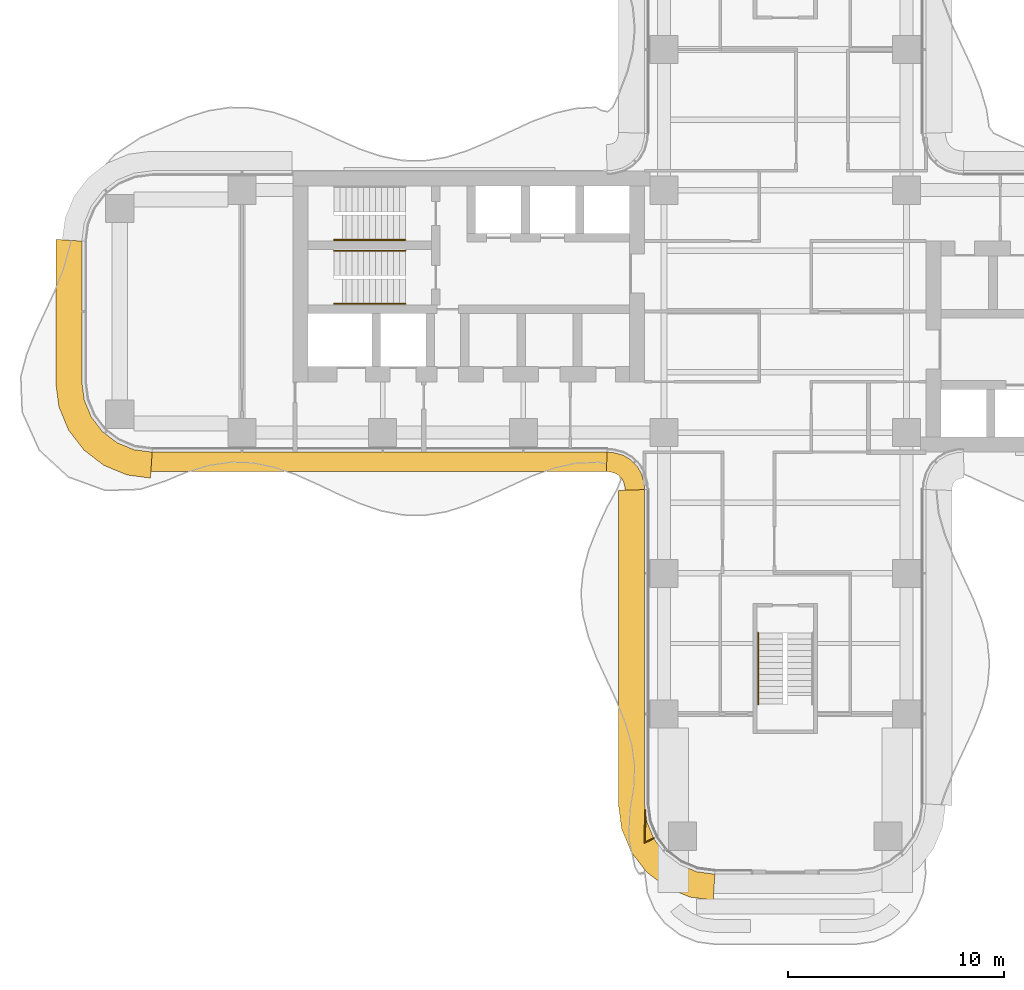
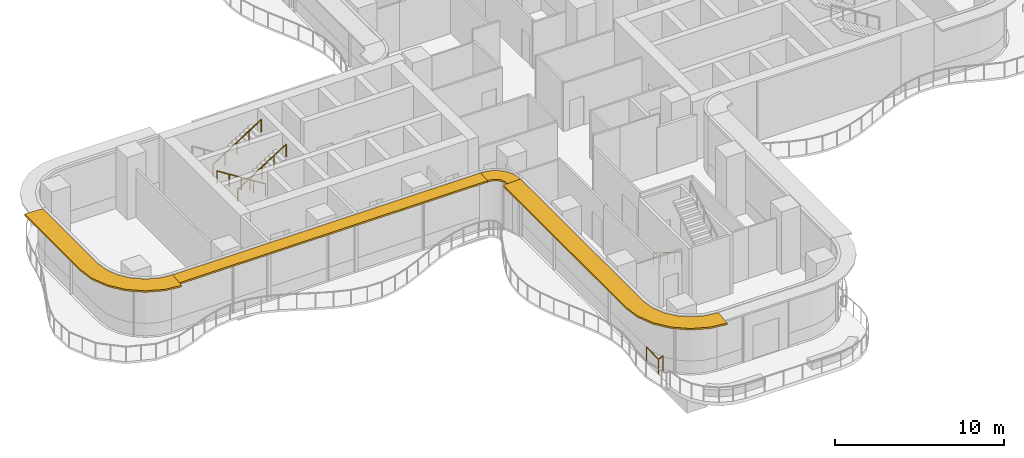
# One storey, part 21 of 22: 5 railings, 4 shading devices.
"""IFC4 building model written with IfcOpenShell, lengths in metres."""

from ifc_helpers import new_model, si_unit, direction, frame, origin, origin_2d, place, context, subcontext, project, spatial, polyline, rectangle, circle, outline, extrude, source, transform, mapped, material, layer, layer_set, type_object, element, save


model = new_model("IFC4")

# Units and contexts
model_context = context("Model", 3, precision=1e-05, world=origin(), true_north=direction((0.0, 1.0)))
body_context = subcontext(model_context, "Body", "Model", "MODEL_VIEW")
ifc_project = project(units=[si_unit("LENGTHUNIT", "METRE"), si_unit("AREAUNIT", "SQUARE_METRE"), si_unit("VOLUMEUNIT", "CUBIC_METRE"), si_unit("PLANEANGLEUNIT", "RADIAN"), si_unit("MASSUNIT", "GRAM", prefix="KILO")], contexts=[model_context])

# Site, building, storey
site_placement = place(None, origin())
site = spatial("IfcSite", under=ifc_project, at=site_placement, CompositionType="ELEMENT")
building_placement = place(site_placement, origin())
building = spatial("IfcBuilding", under=site, at=building_placement, Name="Trellis Farm Tower", CompositionType="ELEMENT")
storey_placement = place(building_placement, frame((0.0, 0.0, 124.5)))
storey = spatial("IfcBuildingStorey", under=building, at=storey_placement, Name="L26", CompositionType="ELEMENT", Elevation=124.5)

# Railings
ifc_material_1 = material(Name="Stainless steel", Category="steel")
railing_type_1 = type_object("IfcRailingType", Name="STAIR HANDRAIL 900", PredefinedType="HANDRAIL", material=ifc_material_1)
shared_shape_1 = source(origin(), body_context, "Body", "SweptSolid", [
    extrude(circle(Radius=0.02392578125, at=origin_2d()), frame((0.0, 0.0, 0.8759765625), z_axis=(0.0, -0.846319618018, 0.532675421018), x_axis=(1.0, 0.0, 0.0)), (0.0, 0.0, 1.0), 3.89892578125),
    extrude(circle(Radius=0.02099609375, at=origin_2d()), origin(), (0.0, 0.0, 1.0), 0.851806640625),
    extrude(circle(Radius=0.02099609375, at=origin_2d()), frame((0.0, -0.824951171875, 0.519287109375)), (0.0, 0.0, 1.0), 0.851806640625),
    extrude(circle(Radius=0.02099609375, at=origin_2d()), frame((0.0, -1.64990234375, 1.03857421875)), (0.0, 0.0, 1.0), 0.851806640625),
    extrude(circle(Radius=0.02099609375, at=origin_2d()), frame((0.0, -2.474853515625, 1.5576171875)), (0.0, 0.0, 1.0), 0.851806640625),
    extrude(circle(Radius=0.02099609375, at=origin_2d()), frame((0.0, -3.2998046875, 2.076904296875)), (0.0, 0.0, 1.0), 0.851806640625),
])
railing_1_placement = place(storey_placement, frame((-1.25, -14.85009765625, 0.173095703125)))
element("IfcRailing", 1, at=railing_1_placement, inside=storey, type_object=railing_type_1, Name="Stair handrail", PredefinedType="HANDRAIL", context=body_context, shape_type="MappedRepresentation", body=[
    mapped(shared_shape_1, transform((0.0, 0.0, 0.0))),
])
shared_shape_2 = source(origin(), body_context, "Body", "SweptSolid", [
    extrude(circle(Radius=0.02392578125, at=origin_2d()), frame((0.0, 0.0, 0.8759765625), z_axis=(0.846337383501, 0.0, 0.532647194011), x_axis=(0.0, 1.0, 0.0)), (0.0, 0.0, 1.0), 3.899169921875),
    extrude(circle(Radius=0.02099609375, at=origin_2d()), origin(), (0.0, 0.0, 1.0), 0.851806640625),
    extrude(circle(Radius=0.02099609375, at=origin_2d()), frame((0.824951171875, 0.0, 0.519287109375)), (0.0, 0.0, 1.0), 0.851806640625),
    extrude(circle(Radius=0.02099609375, at=origin_2d()), frame((1.64990234375, 0.0, 1.03857421875)), (0.0, 0.0, 1.0), 0.851806640625),
    extrude(circle(Radius=0.02099609375, at=origin_2d()), frame((2.47509765625, 0.0, 1.5576171875)), (0.0, 0.0, 1.0), 0.851806640625),
    extrude(circle(Radius=0.02099609375, at=origin_2d()), frame((3.300048828125, 0.0, 2.076904296875)), (0.0, 0.0, 1.0), 0.851806640625),
])
for number, where, name in (
    (2, (-20.85009765625, 3.300048828125, 2.423095703125), "Stair handrail"),
    (3, (-20.85009765625, 0.35009765625, 2.423095703125), "Stair handrail"),
):
    element("IfcRailing", number, at=place(storey_placement, frame(where)), inside=storey, type_object=railing_type_1, Name=name, PredefinedType="HANDRAIL", context=body_context, shape_type="MappedRepresentation", body=[
        mapped(shared_shape_2, transform((0.0, 0.0, 0.0))),
    ])
shared_shape_3 = source(origin(), body_context, "Body", "SweptSolid", [
    extrude(circle(Radius=0.02392578125, at=origin_2d()), frame((0.0, 0.0, 0.8759765625), z_axis=(-0.846337383501, 0.0, 0.532647194011), x_axis=(0.0, -1.0, 0.0)), (0.0, 0.0, 1.0), 3.899169921875),
    extrude(circle(Radius=0.02099609375, at=origin_2d()), origin(), (0.0, 0.0, 1.0), 0.851806640625),
    extrude(circle(Radius=0.02099609375, at=origin_2d()), frame((-0.824951171875, 0.0, 0.519287109375)), (0.0, 0.0, 1.0), 0.851806640625),
    extrude(circle(Radius=0.02099609375, at=origin_2d()), frame((-1.64990234375, 0.0, 1.03857421875)), (0.0, 0.0, 1.0), 0.851806640625),
    extrude(circle(Radius=0.02099609375, at=origin_2d()), frame((-2.47509765625, 0.0, 1.5576171875)), (0.0, 0.0, 1.0), 0.851806640625),
    extrude(circle(Radius=0.02099609375, at=origin_2d()), frame((-3.300048828125, 0.0, 2.076904296875)), (0.0, 0.0, 1.0), 0.851806640625),
])
railing_2_placement = place(storey_placement, frame((-17.550048828125, 2.800048828125, 0.173095703125)))
element("IfcRailing", 4, at=railing_2_placement, inside=storey, type_object=railing_type_1, Name="Stair handrail", PredefinedType="HANDRAIL", context=body_context, shape_type="MappedRepresentation", body=[
    mapped(shared_shape_3, transform((0.0, 0.0, 0.0))),
])

# Shading devices
ifc_material_2 = material(Name="Aluminium extrusion 6063-T6", Category="aluminium")
ifc_layer_1 = layer(ifc_material_2, 0.1201171875)
ifc_layer_set_1 = layer_set([ifc_layer_1], Name="SUNSHADE BLADE 900")
shading_device_type_1 = type_object("IfcShadingDeviceType", Name="SUNSHADE BLADE 900", PredefinedType="USERDEFINED", material=ifc_layer_set_1)
shared_shape_4 = source(origin(), body_context, "Body", "SweptSolid", [
    extrude(outline(polyline([(-29.30908203125, -7.39990234375), (-8.2607421875, -7.39990234375), (-8.2314453125, -6.5), (-29.25, -6.5), (-29.30908203125, -7.39990234375)])), origin(), (0.0, 0.0, 1.0), 0.119873046875),
])
placement = place(storey_placement, frame((0.0, 0.0, 4.090087890625)))
element("IfcShadingDevice", 5, at=placement, inside=storey, type_object=shading_device_type_1, Name="SD1 001", ObjectType="SUNSHADE", PredefinedType="USERDEFINED", context=body_context, shape_type="MappedRepresentation", body=[
    mapped(shared_shape_4, transform((0.0, 0.0, 0.0))),
])
shared_shape_5 = source(origin(), body_context, "Body", "SweptSolid", [
    extrude(outline(polyline([(-8.2607421875, -7.39990234375), (-8.107666015625, -7.409912109375), (-8.091552734375, -7.412109375), (-7.85595703125, -7.475341796875), (-7.697021484375, -7.567138671875), (-7.567138671875, -7.697021484375), (-7.475341796875, -7.85595703125), (-7.412109375, -8.091552734375), (-7.409912109375, -8.107666015625), (-7.39990234375, -8.2607421875), (-6.5, -8.2314453125), (-6.513916015625, -8.01953125), (-6.527587890625, -7.91552734375), (-6.63671875, -7.508544921875), (-6.846923828125, -7.144287109375), (-7.144287109375, -6.846923828125), (-7.508544921875, -6.63671875), (-7.91552734375, -6.527587890625), (-8.01953125, -6.513916015625), (-8.2314453125, -6.5), (-8.2607421875, -7.39990234375)])), origin(), (0.0, 0.0, 1.0), 0.119873046875),
])
element("IfcShadingDevice", 6, at=placement, inside=storey, type_object=shading_device_type_1, Name="SD1 002", ObjectType="SUNSHADE", PredefinedType="USERDEFINED", context=body_context, shape_type="MappedRepresentation", body=[
    mapped(shared_shape_5, transform((0.0, 0.0, 0.0))),
])
ifc_layer_2 = layer(ifc_material_2, 0.1201171875)
ifc_layer_set_2 = layer_set([ifc_layer_2], Name="SUNSHADE BLADE 1200")
shading_device_type_2 = type_object("IfcShadingDeviceType", Name="SUNSHADE BLADE 1200", PredefinedType="USERDEFINED", material=ifc_layer_set_2)
shared_shape_6 = source(origin(), body_context, "Body", "SweptSolid", [
    extrude(outline(polyline([(-33.699951171875, 3.32861328125), (-33.699951171875, -3.32861328125), (-33.558349609375, -4.404541015625), (-33.11279296875, -5.480224609375), (-32.404052734375, -6.404052734375), (-31.480224609375, -7.11279296875), (-30.404541015625, -7.558349609375), (-29.32861328125, -7.699951171875), (-29.25, -6.5), (-30.091064453125, -6.38916015625), (-30.875, -6.064697265625), (-31.548095703125, -5.548095703125), (-32.064697265625, -4.875), (-32.38916015625, -4.091064453125), (-32.5, -3.25), (-32.5, 3.25), (-33.699951171875, 3.32861328125)])), origin(), (0.0, 0.0, 1.0), 0.119873046875),
])
element("IfcShadingDevice", 7, at=placement, inside=storey, type_object=shading_device_type_2, Name="SD2 016", ObjectType="SUNSHADE", PredefinedType="USERDEFINED", context=body_context, shape_type="MappedRepresentation", body=[
    mapped(shared_shape_6, transform((0.0, 0.0, 0.0))),
])

# Railing
ifc_material_3 = material(Name="Stainless steel 316", Category="steel")
railing_type_2 = type_object("IfcRailingType", Name="BALUSTRADE GUARD 1100", PredefinedType="GUARDRAIL", material=ifc_material_3)
shared_shape_7 = source(origin(), body_context, "Body", "SweptSolid", [
    extrude(rectangle(XDim=0.050048828125, YDim=0.050048828125, at=origin_2d()), frame((0.0, 0.0, 1.0751953125), z_axis=(-0.026650654848, -0.999644808217, 0.0), x_axis=(0.999644808217, -0.026650654848, 0.0)), (0.0, 0.0, 1.0), 1.4931640625),
    extrude(rectangle(XDim=0.050048828125, YDim=0.050048828125, at=origin_2d()), frame((-0.039794921875, -1.49267578125, 1.0751953125), z_axis=(0.901514911476, 0.432748037993, 0.0), x_axis=(-0.432748037993, 0.901514911476, 0.0)), (0.0, 0.0, 1.0), 0.4677734375),
    extrude(rectangle(XDim=0.0400390625, YDim=0.0400390625, at=origin_2d()), origin(), (0.0, 0.0, 1.0), 1.050048828125),
    extrude(rectangle(XDim=0.0400390625, YDim=0.0400390625, at=origin_2d()), frame((-0.039794921875, -1.49267578125, 0.0)), (0.0, 0.0, 1.0), 1.050048828125),
    extrude(rectangle(XDim=0.0400390625, YDim=0.0400390625, at=origin_2d()), frame((0.3818359375, -1.290283203125, 0.0)), (0.0, 0.0, 1.0), 1.050048828125),
])
railing_3_placement = place(storey_placement, frame((-6.460205078125, -23.05126953125, 0.0)))
element("IfcRailing", 8, at=railing_3_placement, inside=storey, type_object=railing_type_2, Name="GD1 BAL-1", PredefinedType="GUARDRAIL", context=body_context, shape_type="MappedRepresentation", body=[
    mapped(shared_shape_7, transform((0.0, 0.0, 0.0))),
])

# Shading device
shared_shape_8 = source(origin(), body_context, "Body", "SweptSolid", [
    extrude(outline(polyline([(-7.699951171875, -8.270751953125), (-7.699951171875, -22.82861328125), (-7.558349609375, -23.904541015625), (-7.11279296875, -24.980224609375), (-6.404052734375, -25.904052734375), (-5.480224609375, -26.61279296875), (-4.404541015625, -27.058349609375), (-3.32861328125, -27.199951171875), (-3.25, -26.0), (-4.091064453125, -25.88916015625), (-4.875, -25.564697265625), (-5.548095703125, -25.048095703125), (-6.064697265625, -24.375), (-6.38916015625, -23.591064453125), (-6.5, -22.75), (-6.5, -8.2314453125), (-7.699951171875, -8.270751953125)])), origin(), (0.0, 0.0, 1.0), 0.119873046875),
])
element("IfcShadingDevice", 9, at=placement, inside=storey, type_object=shading_device_type_2, Name="SD2 003", ObjectType="SUNSHADE", PredefinedType="USERDEFINED", context=body_context, shape_type="MappedRepresentation", body=[
    mapped(shared_shape_8, transform((0.0, 0.0, 0.0))),
])

save(model, "model.ifc")
